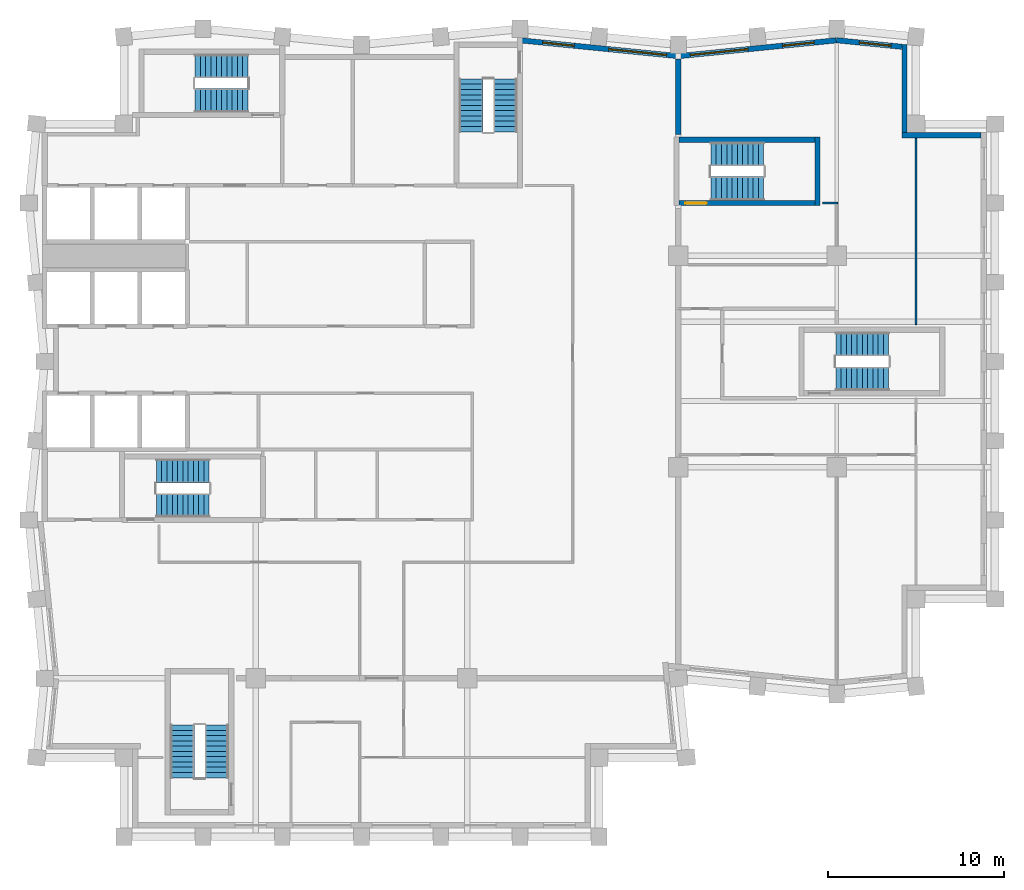
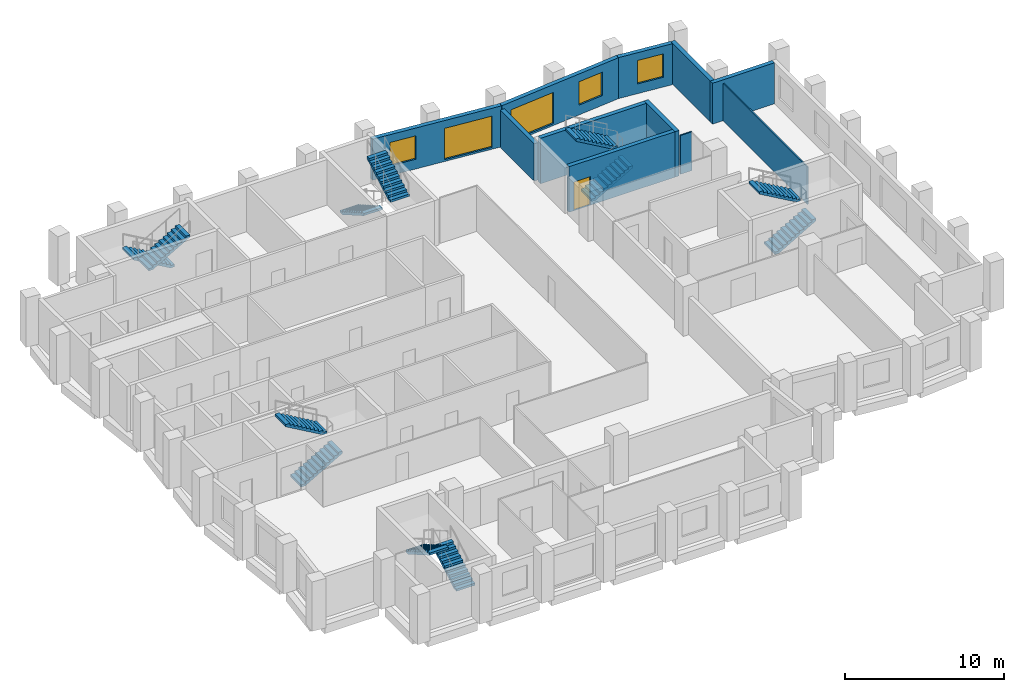
# One storey, part 6 of 7: 12 stair flights, 11 walls, 5 windows, 1 door, 6 openings, 6 elements without a shape of their own.
"""IFC4 building model written with IfcOpenShell, lengths in metres."""

from ifc_helpers import new_model, si_unit, direction, frame, frame_2d, origin, place, context, subcontext, project, spatial, polyline, rectangle, outline, extrude, material, layer, layer_set, type_object, element, fill, aggregate, save


model = new_model("IFC4")

# Units and contexts
model_context = context("Model", 3, precision=1e-05, world=origin(), true_north=direction((0.0, 1.0)))
body_context = subcontext(model_context, "Body", "Model", "MODEL_VIEW")
ifc_project = project(units=[si_unit("LENGTHUNIT", "METRE"), si_unit("AREAUNIT", "SQUARE_METRE"), si_unit("VOLUMEUNIT", "CUBIC_METRE"), si_unit("PLANEANGLEUNIT", "RADIAN"), si_unit("MASSUNIT", "GRAM", prefix="KILO")], contexts=[model_context])

# Site, building, storey
site_placement = place(None, origin())
site = spatial("IfcSite", under=ifc_project, at=site_placement, CompositionType="ELEMENT")
building_placement = place(site_placement, origin())
building = spatial("IfcBuilding", under=site, at=building_placement, Name="Brondeck Convention Tower", CompositionType="ELEMENT")
storey_placement = place(building_placement, frame((0.0, 0.0, 202.60009765625)))
storey = spatial("IfcBuildingStorey", under=building, at=storey_placement, Name="L49", CompositionType="ELEMENT", Elevation=202.60009765625)

# Walls
ifc_material_1 = material(Name="Concrete compartment wall C30/37", Category="concrete")
ifc_layer_1 = layer(ifc_material_1, 0.300048828125)
ifc_layer_set_1 = layer_set([ifc_layer_1], Name="Compartment wall 300")
wall_type_1 = type_object("IfcWallType", Name="Compartment wall 300", PredefinedType="PARTITIONING", material=ifc_layer_set_1)
wall_1_placement = place(storey_placement, frame((36.0, 57.89990234375, 0.0), z_axis=(0.0, 0.0, 1.0), x_axis=(0.0, 1.0, 0.0)))
element("IfcWall", 1, at=wall_1_placement, inside=storey, type_object=wall_type_1, Name="FLR-L49-W046", PredefinedType="PARTITIONING", context=body_context, shape_type="SweptSolid", body=[
    extrude(rectangle(XDim=4.2763671875, YDim=0.300048828125, at=frame_2d((2.13818359375, 0.0))), origin(), (0.0, 0.0, 1.0), 2.8798828125),
])
ifc_material_2 = material(Name="Precast concrete C50/60 bronze finish", Category="concrete")
ifc_layer_2 = layer(ifc_material_2, 0.070068359375, Name="Bronze precast facing")
ifc_material_3 = material(Name="Mineral wool")
ifc_layer_3 = layer(ifc_material_3, 0.159912109375, Name="Insulation")
ifc_material_4 = material(Name="Concrete C35/45", Category="concrete")
ifc_layer_4 = layer(ifc_material_4, 0.070068359375, Name="Backing")
ifc_layer_set_2 = layer_set([ifc_layer_2, ifc_layer_3, ifc_layer_4], Name="External infill wall, precast concrete C50/60 bronze facing")
wall_type_2 = type_object("IfcWallType", Name="External infill wall, precast concrete C50/60 bronze facing", PredefinedType="SOLIDWALL", material=ifc_layer_set_2)
wall_2_placement = place(storey_placement, frame((48.699951171875, 57.85009765625, 0.0), z_axis=(0.0, 0.0, 1.0), x_axis=(1.0, 0.0, 0.0)))
element("IfcWall", 2, at=wall_2_placement, inside=storey, type_object=wall_type_2, Name="ENV-EW-L49-P2-NC-NEA54-01", PredefinedType="SOLIDWALL", context=body_context, shape_type="SweptSolid", body=[
    extrude(rectangle(XDim=4.501953125, YDim=0.300048828125, at=frame_2d((2.2509765625, 0.0))), origin(), (0.0, 0.0, 1.0), 3.14990234375),
])
wall_3_placement = place(storey_placement, frame((48.85009765625, 62.99755859375, 0.0), z_axis=(0.0, 0.0, 1.0), x_axis=(0.0, -1.0, 0.0)))
element("IfcWall", 3, at=wall_3_placement, inside=storey, type_object=wall_type_2, Name="ENV-EW-L49-P2-NC-NEA54-02", PredefinedType="SOLIDWALL", context=body_context, shape_type="SweptSolid", body=[
    extrude(rectangle(XDim=4.99951171875, YDim=0.300048828125, at=frame_2d((2.499755859375, 0.0))), origin(), (0.0, 0.0, 1.0), 3.14990234375),
])

# Wall, opening, window
wall_4_placement = place(storey_placement, frame((44.985107421875, 63.248291015625, 0.0), z_axis=(0.0, 0.0, 1.0), x_axis=(0.995037837869, -0.099497242219, 0.0)))
wall_4 = element("IfcWall", 4, at=wall_4_placement, inside=storey, type_object=wall_type_2, Name="ENV-EW-L49-P2-A-N-10", PredefinedType="SOLIDWALL", context=body_context, shape_type="SweptSolid", body=[
    extrude(rectangle(XDim=3.732177734375, YDim=0.300048828125, at=frame_2d((1.8662109375, 0.0))), origin(), (0.0, 0.0, 1.0), 3.14990234375),
])
opening_1_placement = place(wall_4_placement, frame((1.311279296875, 0.0, 0.75)))
opening_1 = element("IfcOpeningElement", 5, at=opening_1_placement, cuts=wall_4, Name="Opening W10", PredefinedType="OPENING", context=body_context, shape_type="SweptSolid", body=[
    extrude(rectangle(XDim=1.800048828125, YDim=1.800048828125, at=frame_2d((0.89990234375, 0.89990234375))), frame((0.0, 0.159912109375, 0.0), z_axis=(0.0, -1.0, 0.0), x_axis=(1.0, 0.0, 0.0)), (0.0, 0.0, 1.0), 0.320068359375),
])
ifc_material_5 = material(Name="Bronze tinted double glazing", Category="glass")
window_type_1 = type_object("IfcWindowType", Name="Punched window, bronze tinted", PartitioningType="SINGLE_PANEL", PredefinedType="WINDOW", material=ifc_material_5)
window_1_placement = place(opening_1_placement, origin())
window_1 = element("IfcWindow", 6, at=window_1_placement, inside=storey, type_object=window_type_1, Name="ENV-WN-L49-P2-A-N-10", OverallHeight=1.800048828125, OverallWidth=1.800048828125, PartitioningType="SINGLE_PANEL", PredefinedType="WINDOW", context=body_context, shape_type="SweptSolid", body=[
    extrude(rectangle(XDim=1.800048828125, YDim=1.800048828125, at=frame_2d((0.89990234375, 0.89990234375))), frame((0.0, 0.030029296875, 0.0), z_axis=(0.0, -1.0, 0.0), x_axis=(1.0, 0.0, 0.0)), (0.0, 0.0, 1.0), 0.06005859375),
])
fill(opening_1, window_1)

# Wall, openings, windows
wall_5_placement = place(storey_placement, frame((35.985107421875, 62.34521484375, 0.0), z_axis=(0.0, 0.0, 1.0), x_axis=(0.995035316196, 0.099522457379, 0.0)))
wall_5 = element("IfcWall", 7, at=wall_5_placement, inside=storey, type_object=wall_type_2, Name="ENV-EW-L49-P2-A-N-09", PredefinedType="SOLIDWALL", context=body_context, shape_type="SweptSolid", body=[
    extrude(rectangle(XDim=9.030029296875, YDim=0.300048828125, at=frame_2d((4.51513671875, 0.0))), origin(), (0.0, 0.0, 1.0), 3.14990234375),
])
opening_2_placement = place(wall_5_placement, frame((0.691162109375, 0.0, 0.14990234375)))
opening_2 = element("IfcOpeningElement", 8, at=opening_2_placement, cuts=wall_5, Name="Opening W9", PredefinedType="OPENING", context=body_context, shape_type="SweptSolid", body=[
    extrude(rectangle(XDim=3.300048828125, YDim=2.39990234375, at=frame_2d((1.64990234375, 1.199951171875))), frame((0.0, 0.159912109375, 0.0), z_axis=(0.0, -1.0, 0.0), x_axis=(1.0, 0.0, 0.0)), (0.0, 0.0, 1.0), 0.320068359375),
])
opening_3_placement = place(wall_5_placement, frame((5.963623046875, 0.0, 0.75)))
opening_3 = element("IfcOpeningElement", 9, at=opening_3_placement, cuts=wall_5, Name="Opening W10", PredefinedType="OPENING", context=body_context, shape_type="SweptSolid", body=[
    extrude(rectangle(XDim=1.800048828125, YDim=1.800048828125, at=frame_2d((0.89990234375, 0.89990234375))), frame((0.0, 0.159912109375, 0.0), z_axis=(0.0, -1.0, 0.0), x_axis=(1.0, 0.0, 0.0)), (0.0, 0.0, 1.0), 0.320068359375),
])
window_type_2 = type_object("IfcWindowType", Name="Glazed flute window, bronze tinted", PartitioningType="SINGLE_PANEL", PredefinedType="WINDOW", material=ifc_material_5)
window_2_placement = place(opening_2_placement, origin())
window_2 = element("IfcWindow", 10, at=window_2_placement, inside=storey, type_object=window_type_2, Name="ENV-WN-L49-P2-A-N-08", OverallHeight=2.39990234375, OverallWidth=3.300048828125, PartitioningType="SINGLE_PANEL", PredefinedType="WINDOW", context=body_context, shape_type="SweptSolid", body=[
    extrude(rectangle(XDim=3.300048828125, YDim=2.39990234375, at=frame_2d((1.64990234375, 1.199951171875))), frame((0.0, 0.030029296875, 0.0), z_axis=(0.0, -1.0, 0.0), x_axis=(1.0, 0.0, 0.0)), (0.0, 0.0, 1.0), 0.06005859375),
])
fill(opening_2, window_2)
window_3_placement = place(opening_3_placement, origin())
window_3 = element("IfcWindow", 11, at=window_3_placement, inside=storey, type_object=window_type_1, Name="ENV-WN-L49-P2-A-N-09", OverallHeight=1.800048828125, OverallWidth=1.800048828125, PartitioningType="SINGLE_PANEL", PredefinedType="WINDOW", context=body_context, shape_type="SweptSolid", body=[
    extrude(rectangle(XDim=1.800048828125, YDim=1.800048828125, at=frame_2d((0.89990234375, 0.89990234375))), frame((0.0, 0.030029296875, 0.0), z_axis=(0.0, -1.0, 0.0), x_axis=(1.0, 0.0, 0.0)), (0.0, 0.0, 1.0), 0.06005859375),
])
fill(opening_3, window_3)

wall_6_placement = place(storey_placement, frame((27.084716796875, 63.23828125, 0.0), z_axis=(0.0, 0.0, 1.0), x_axis=(0.995035836657, -0.099517253618, 0.0)))
wall_6 = element("IfcWall", 12, at=wall_6_placement, inside=storey, type_object=wall_type_2, Name="ENV-EW-L49-P2-A-N-07", PredefinedType="SOLIDWALL", context=body_context, shape_type="SweptSolid", body=[
    extrude(rectangle(XDim=8.929931640625, YDim=0.300048828125, at=frame_2d((4.46484375, 0.0))), origin(), (0.0, 0.0, 1.0), 3.14990234375),
])
opening_4_placement = place(wall_6_placement, frame((1.211181640625, 0.0, 0.75)))
opening_4 = element("IfcOpeningElement", 13, at=opening_4_placement, cuts=wall_6, Name="Opening W10", PredefinedType="OPENING", context=body_context, shape_type="SweptSolid", body=[
    extrude(rectangle(XDim=1.800048828125, YDim=1.800048828125, at=frame_2d((0.89990234375, 0.89990234375))), frame((0.0, 0.159912109375, 0.0), z_axis=(0.0, -1.0, 0.0), x_axis=(1.0, 0.0, 0.0)), (0.0, 0.0, 1.0), 0.320068359375),
])
opening_5_placement = place(wall_6_placement, frame((4.983642578125, 0.0, 0.14990234375)))
opening_5 = element("IfcOpeningElement", 14, at=opening_5_placement, cuts=wall_6, Name="Opening W9", PredefinedType="OPENING", context=body_context, shape_type="SweptSolid", body=[
    extrude(rectangle(XDim=3.300048828125, YDim=2.39990234375, at=frame_2d((1.64990234375, 1.199951171875))), frame((0.0, 0.159912109375, 0.0), z_axis=(0.0, -1.0, 0.0), x_axis=(1.0, 0.0, 0.0)), (0.0, 0.0, 1.0), 0.320068359375),
])
window_4_placement = place(opening_5_placement, origin())
window_4 = element("IfcWindow", 15, at=window_4_placement, inside=storey, type_object=window_type_2, Name="ENV-WN-L49-P2-A-N-07", OverallHeight=2.39990234375, OverallWidth=3.300048828125, PartitioningType="SINGLE_PANEL", PredefinedType="WINDOW", context=body_context, shape_type="SweptSolid", body=[
    extrude(rectangle(XDim=3.300048828125, YDim=2.39990234375, at=frame_2d((1.64990234375, 1.199951171875))), frame((0.0, 0.030029296875, 0.0), z_axis=(0.0, -1.0, 0.0), x_axis=(1.0, 0.0, 0.0)), (0.0, 0.0, 1.0), 0.06005859375),
])
fill(opening_5, window_4)
window_5_placement = place(opening_4_placement, origin())
window_5 = element("IfcWindow", 16, at=window_5_placement, inside=storey, type_object=window_type_1, Name="ENV-WN-L49-P2-A-N-06", OverallHeight=1.800048828125, OverallWidth=1.800048828125, PartitioningType="SINGLE_PANEL", PredefinedType="WINDOW", context=body_context, shape_type="SweptSolid", body=[
    extrude(rectangle(XDim=1.800048828125, YDim=1.800048828125, at=frame_2d((0.89990234375, 0.89990234375))), frame((0.0, 0.030029296875, 0.0), z_axis=(0.0, -1.0, 0.0), x_axis=(1.0, 0.0, 0.0)), (0.0, 0.0, 1.0), 0.06005859375),
])
fill(opening_4, window_5)

# Walls
ifc_material_6 = material(Name="Gypsum board partition on steel studs", Category="steel")
ifc_layer_5 = layer(ifc_material_6, 0.10009765625)
ifc_layer_set_3 = layer_set([ifc_layer_5], Name="Room partition 100")
wall_type_3 = type_object("IfcWallType", Name="Room partition 100", PredefinedType="PARTITIONING", material=ifc_layer_set_3)
wall_7_placement = place(storey_placement, frame((49.5, 47.10009765625, 0.0), z_axis=(0.0, 0.0, 1.0), x_axis=(0.0, 1.0, 0.0)))
element("IfcWall", 17, at=wall_7_placement, inside=storey, type_object=wall_type_3, Name="FLR-L49-W034", PredefinedType="PARTITIONING", context=body_context, shape_type="SweptSolid", body=[
    extrude(rectangle(XDim=10.579833984375, YDim=0.10009765625, at=frame_2d((5.2900390625, 0.0))), origin(), (0.0, 0.0, 1.0), 2.8798828125),
])
wall_8_placement = place(storey_placement, frame((44.199951171875, 54.0, 0.0), z_axis=(0.0, 0.0, 1.0), x_axis=(1.0, 0.0, 0.0)))
element("IfcWall", 18, at=wall_8_placement, inside=storey, type_object=wall_type_3, Name="FLR-L49-W043", PredefinedType="PARTITIONING", context=body_context, shape_type="SweptSolid", body=[
    extrude(rectangle(XDim=0.85009765625, YDim=0.10009765625, at=frame_2d((0.425048828125, 0.0))), origin(), (0.0, 0.0, 1.0), 2.97998046875),
])

# Wall, opening, door
ifc_material_7 = material(Name="Concrete C50/60", Category="concrete")
ifc_layer_6 = layer(ifc_material_7, 0.300048828125)
ifc_layer_set_4 = layer_set([ifc_layer_6], Name="Stair enclosure wall 300 Concrete C50/60")
wall_type_4 = type_object("IfcWallType", Name="Stair enclosure wall 300 Concrete C50/60", PredefinedType="SHEAR", material=ifc_layer_set_4)
wall_9_placement = place(storey_placement, frame((36.050048828125, 54.0, 0.0), z_axis=(0.0, 0.0, 1.0), x_axis=(1.0, 0.0, 0.0)))
wall_9 = element("IfcWall", 19, at=wall_9_placement, inside=storey, type_object=wall_type_4, Name="L49 core wall", PredefinedType="SHEAR", context=body_context, shape_type="SweptSolid", body=[
    extrude(rectangle(XDim=7.699951171875, YDim=0.300048828125, at=frame_2d((3.85009765625, 0.0))), origin(), (0.0, 0.0, 1.0), 3.5),
])
opening_6_placement = place(wall_9_placement, frame((0.35009765625, 0.0, 0.0)))
opening_6 = element("IfcOpeningElement", 20, at=opening_6_placement, cuts=wall_9, Name="Opening C28-16", PredefinedType="OPENING", context=body_context, shape_type="SweptSolid", body=[
    extrude(rectangle(XDim=1.199951171875, YDim=2.199951171875, at=frame_2d((0.60009765625, 1.10009765625))), frame((0.0, 0.159912109375, 0.0), z_axis=(0.0, -1.0, 0.0), x_axis=(1.0, 0.0, 0.0)), (0.0, 0.0, 1.0), 0.320068359375),
])
ifc_material_8 = material(Name="Steel fire door", Category="steel")
door_type = type_object("IfcDoorType", Name="Stair door 1200x2200 EI 90", OperationType="NOTDEFINED", PredefinedType="DOOR", material=ifc_material_8)
door_placement = place(opening_6_placement, origin())
door = element("IfcDoor", 21, at=door_placement, inside=storey, type_object=door_type, Name="L49 Stair door ST-AE", OperationType="SINGLE_SWING_LEFT", OverallHeight=2.199951171875, OverallWidth=1.199951171875, PredefinedType="DOOR", context=body_context, shape_type="SweptSolid", body=[
    extrude(rectangle(XDim=1.199951171875, YDim=2.199951171875, at=frame_2d((0.60009765625, 1.10009765625))), frame((0.0, 0.02490234375, 0.0), z_axis=(0.0, -1.0, 0.0), x_axis=(1.0, 0.0, 0.0)), (0.0, 0.0, 1.0), 0.050048828125),
])
fill(opening_6, door)

# Walls
wall_10_placement = place(storey_placement, frame((36.050048828125, 57.60009765625, 0.0), z_axis=(0.0, 0.0, 1.0), x_axis=(1.0, 0.0, 0.0)))
element("IfcWall", 22, at=wall_10_placement, inside=storey, type_object=wall_type_4, Name="L49 core wall", PredefinedType="SHEAR", context=body_context, shape_type="SweptSolid", body=[
    extrude(rectangle(XDim=7.699951171875, YDim=0.300048828125, at=frame_2d((3.85009765625, 0.0))), origin(), (0.0, 0.0, 1.0), 3.5),
])
wall_11_placement = place(storey_placement, frame((43.89990234375, 53.85009765625, 0.0), z_axis=(0.0, 0.0, 1.0), x_axis=(0.0, 1.0, 0.0)))
element("IfcWall", 23, at=wall_11_placement, inside=storey, type_object=wall_type_4, Name="L49 core wall", PredefinedType="SHEAR", context=body_context, shape_type="SweptSolid", body=[
    extrude(rectangle(XDim=3.89990234375, YDim=0.300048828125, at=frame_2d((1.949951171875, 0.0))), origin(), (0.0, 0.0, 1.0), 3.5),
])

# Stair, stair flights
ifc_material_9 = material(Name="Precast concrete C50/60", Category="concrete")
stair_type = type_object("IfcStairType", Name="Core stair 22 risers 172.73 mm riser 300 mm going 1350 wide", PredefinedType="HALF_TURN_STAIR", material=ifc_material_9)
stair_1_placement = place(storey_placement, origin())
stair_1 = element("IfcStair", 24, at=stair_1_placement, inside=storey, type_object=stair_type, Name="ST-1 L49 stair", PredefinedType="HALF_TURN_STAIR")
stair_flight_type = type_object("IfcStairFlightType", Name="Core stair flight 22 risers 172.73 mm riser 300 mm going 1350 wide", PredefinedType="STRAIGHT", material=ifc_material_9)
stair_flight_1_placement = place(storey_placement, frame((6.35009765625, 36.824951171875, 0.0), z_axis=(0.0, 0.0, 1.0), x_axis=(1.0, 0.0, 0.0)))
stair_flight_1 = element("IfcStairFlight", 25, at=stair_flight_1_placement, type_object=stair_flight_type, Name="ST-1 flight 1", NumberOfRisers=11, NumberOfTreads=10, PredefinedType="STRAIGHT", RiserHeight=0.172727273, TreadLength=0.3, context=body_context, shape_type="SweptSolid", body=[
    extrude(outline(polyline([(0.0, 0.0), (0.0, 0.172607421875), (0.300048828125, 0.172607421875), (0.300048828125, 0.345458984375), (0.60009765625, 0.345458984375), (0.60009765625, 0.51806640625), (0.89990234375, 0.51806640625), (0.89990234375, 0.69091796875), (1.199951171875, 0.69091796875), (1.199951171875, 0.863525390625), (1.5, 0.863525390625), (1.5, 1.036376953125), (1.800048828125, 1.036376953125), (1.800048828125, 1.208984375), (2.10009765625, 1.208984375), (2.10009765625, 1.3818359375), (2.39990234375, 1.3818359375), (2.39990234375, 1.554443359375), (2.699951171875, 1.554443359375), (2.699951171875, 1.727294921875), (3.0, 1.727294921875), (3.0, 1.89990234375), (3.0, 1.55419921875), (0.300537109375, 0.0), (0.0, 0.0)])), frame((0.0, 0.675048828125, 0.0), z_axis=(0.0, -1.0, 0.0), x_axis=(1.0, 0.0, 0.0)), (0.0, 0.0, 1.0), 1.35009765625),
])
stair_flight_2_placement = place(storey_placement, frame((9.35009765625, 38.77490234375, 1.89990234375), z_axis=(0.0, 0.0, 1.0), x_axis=(-1.0, 0.0, 0.0)))
stair_flight_2 = element("IfcStairFlight", 26, at=stair_flight_2_placement, type_object=stair_flight_type, Name="ST-1 flight 2", NumberOfRisers=11, NumberOfTreads=10, PredefinedType="STRAIGHT", RiserHeight=0.172727273, TreadLength=0.3, context=body_context, shape_type="SweptSolid", body=[
    extrude(outline(polyline([(0.0, 0.0), (0.0, 0.172607421875), (0.300048828125, 0.172607421875), (0.300048828125, 0.345458984375), (0.60009765625, 0.345458984375), (0.60009765625, 0.51806640625), (0.89990234375, 0.51806640625), (0.89990234375, 0.69091796875), (1.199951171875, 0.69091796875), (1.199951171875, 0.863525390625), (1.5, 0.863525390625), (1.5, 1.036376953125), (1.800048828125, 1.036376953125), (1.800048828125, 1.208984375), (2.10009765625, 1.208984375), (2.10009765625, 1.3818359375), (2.39990234375, 1.3818359375), (2.39990234375, 1.554443359375), (2.699951171875, 1.554443359375), (2.699951171875, 1.727294921875), (3.0, 1.727294921875), (3.0, 1.89990234375), (3.0, 1.55419921875), (0.300537109375, 0.0), (0.0, 0.0)])), frame((0.0, 0.675048828125, 0.0), z_axis=(0.0, -1.0, 0.0), x_axis=(1.0, 0.0, 0.0)), (0.0, 0.0, 1.0), 1.35009765625),
])
aggregate(stair_1, [stair_flight_1, stair_flight_2])

stair_2_placement = place(storey_placement, origin())
stair_2 = element("IfcStair", 27, at=stair_2_placement, inside=storey, type_object=stair_type, Name="ST-2 L49 stair", PredefinedType="HALF_TURN_STAIR")
stair_flight_3_placement = place(storey_placement, frame((24.22509765625, 61.050048828125, 0.0), z_axis=(0.0, 0.0, 1.0), x_axis=(0.0, -1.0, 0.0)))
stair_flight_3 = element("IfcStairFlight", 28, at=stair_flight_3_placement, type_object=stair_flight_type, Name="ST-2 flight 1", NumberOfRisers=11, NumberOfTreads=10, PredefinedType="STRAIGHT", RiserHeight=0.172727273, TreadLength=0.3, context=body_context, shape_type="SweptSolid", body=[
    extrude(outline(polyline([(0.0, 0.0), (0.0, 0.172607421875), (0.300048828125, 0.172607421875), (0.300048828125, 0.345458984375), (0.60009765625, 0.345458984375), (0.60009765625, 0.51806640625), (0.89990234375, 0.51806640625), (0.89990234375, 0.69091796875), (1.199951171875, 0.69091796875), (1.199951171875, 0.863525390625), (1.5, 0.863525390625), (1.5, 1.036376953125), (1.800048828125, 1.036376953125), (1.800048828125, 1.208984375), (2.10009765625, 1.208984375), (2.10009765625, 1.3818359375), (2.39990234375, 1.3818359375), (2.39990234375, 1.554443359375), (2.699951171875, 1.554443359375), (2.699951171875, 1.727294921875), (3.0, 1.727294921875), (3.0, 1.89990234375), (3.0, 1.55419921875), (0.300537109375, 0.0), (0.0, 0.0)])), frame((0.0, 0.675048828125, 0.0), z_axis=(0.0, -1.0, 0.0), x_axis=(1.0, 0.0, 0.0)), (0.0, 0.0, 1.0), 1.35009765625),
])
stair_flight_4_placement = place(storey_placement, frame((26.175048828125, 58.050048828125, 1.89990234375), z_axis=(0.0, 0.0, 1.0), x_axis=(0.0, 1.0, 0.0)))
stair_flight_4 = element("IfcStairFlight", 29, at=stair_flight_4_placement, type_object=stair_flight_type, Name="ST-2 flight 2", NumberOfRisers=11, NumberOfTreads=10, PredefinedType="STRAIGHT", RiserHeight=0.172727273, TreadLength=0.3, context=body_context, shape_type="SweptSolid", body=[
    extrude(outline(polyline([(0.0, 0.0), (0.0, 0.172607421875), (0.300048828125, 0.172607421875), (0.300048828125, 0.345458984375), (0.60009765625, 0.345458984375), (0.60009765625, 0.51806640625), (0.89990234375, 0.51806640625), (0.89990234375, 0.69091796875), (1.199951171875, 0.69091796875), (1.199951171875, 0.863525390625), (1.5, 0.863525390625), (1.5, 1.036376953125), (1.800048828125, 1.036376953125), (1.800048828125, 1.208984375), (2.10009765625, 1.208984375), (2.10009765625, 1.3818359375), (2.39990234375, 1.3818359375), (2.39990234375, 1.554443359375), (2.699951171875, 1.554443359375), (2.699951171875, 1.727294921875), (3.0, 1.727294921875), (3.0, 1.89990234375), (3.0, 1.55419921875), (0.300537109375, 0.0), (0.0, 0.0)])), frame((0.0, 0.675048828125, 0.0), z_axis=(0.0, -1.0, 0.0), x_axis=(1.0, 0.0, 0.0)), (0.0, 0.0, 1.0), 1.35009765625),
])
aggregate(stair_2, [stair_flight_3, stair_flight_4])

stair_3_placement = place(storey_placement, origin())
stair_3 = element("IfcStair", 30, at=stair_3_placement, inside=storey, type_object=stair_type, Name="ST-3 L49 stair", PredefinedType="HALF_TURN_STAIR")
stair_flight_5_placement = place(storey_placement, frame((11.550048828125, 61.77490234375, 0.0), z_axis=(0.0, 0.0, 1.0), x_axis=(-1.0, 0.0, 0.0)))
stair_flight_5 = element("IfcStairFlight", 31, at=stair_flight_5_placement, type_object=stair_flight_type, Name="ST-3 flight 1", NumberOfRisers=11, NumberOfTreads=10, PredefinedType="STRAIGHT", RiserHeight=0.172727273, TreadLength=0.3, context=body_context, shape_type="SweptSolid", body=[
    extrude(outline(polyline([(0.0, 0.0), (0.0, 0.172607421875), (0.300048828125, 0.172607421875), (0.300048828125, 0.345458984375), (0.60009765625, 0.345458984375), (0.60009765625, 0.51806640625), (0.89990234375, 0.51806640625), (0.89990234375, 0.69091796875), (1.199951171875, 0.69091796875), (1.199951171875, 0.863525390625), (1.5, 0.863525390625), (1.5, 1.036376953125), (1.800048828125, 1.036376953125), (1.800048828125, 1.208984375), (2.10009765625, 1.208984375), (2.10009765625, 1.3818359375), (2.39990234375, 1.3818359375), (2.39990234375, 1.554443359375), (2.699951171875, 1.554443359375), (2.699951171875, 1.727294921875), (3.0, 1.727294921875), (3.0, 1.89990234375), (3.0, 1.55419921875), (0.300537109375, 0.0), (0.0, 0.0)])), frame((0.0, 0.675048828125, 0.0), z_axis=(0.0, -1.0, 0.0), x_axis=(1.0, 0.0, 0.0)), (0.0, 0.0, 1.0), 1.35009765625),
])
stair_flight_6_placement = place(storey_placement, frame((8.550048828125, 59.824951171875, 1.89990234375), z_axis=(0.0, 0.0, 1.0), x_axis=(1.0, 0.0, 0.0)))
stair_flight_6 = element("IfcStairFlight", 32, at=stair_flight_6_placement, type_object=stair_flight_type, Name="ST-3 flight 2", NumberOfRisers=11, NumberOfTreads=10, PredefinedType="STRAIGHT", RiserHeight=0.172727273, TreadLength=0.3, context=body_context, shape_type="SweptSolid", body=[
    extrude(outline(polyline([(0.0, 0.0), (0.0, 0.172607421875), (0.300048828125, 0.172607421875), (0.300048828125, 0.345458984375), (0.60009765625, 0.345458984375), (0.60009765625, 0.51806640625), (0.89990234375, 0.51806640625), (0.89990234375, 0.69091796875), (1.199951171875, 0.69091796875), (1.199951171875, 0.863525390625), (1.5, 0.863525390625), (1.5, 1.036376953125), (1.800048828125, 1.036376953125), (1.800048828125, 1.208984375), (2.10009765625, 1.208984375), (2.10009765625, 1.3818359375), (2.39990234375, 1.3818359375), (2.39990234375, 1.554443359375), (2.699951171875, 1.554443359375), (2.699951171875, 1.727294921875), (3.0, 1.727294921875), (3.0, 1.89990234375), (3.0, 1.55419921875), (0.300537109375, 0.0), (0.0, 0.0)])), frame((0.0, 0.675048828125, 0.0), z_axis=(0.0, -1.0, 0.0), x_axis=(1.0, 0.0, 0.0)), (0.0, 0.0, 1.0), 1.35009765625),
])
aggregate(stair_3, [stair_flight_5, stair_flight_6])

stair_4_placement = place(storey_placement, origin())
stair_4 = element("IfcStair", 33, at=stair_4_placement, inside=storey, type_object=stair_type, Name="ST-AE L49 stair", PredefinedType="HALF_TURN_STAIR")
stair_flight_7_placement = place(storey_placement, frame((37.85009765625, 54.824951171875, 0.0), z_axis=(0.0, 0.0, 1.0), x_axis=(1.0, 0.0, 0.0)))
stair_flight_7 = element("IfcStairFlight", 34, at=stair_flight_7_placement, type_object=stair_flight_type, Name="ST-AE flight 1", NumberOfRisers=11, NumberOfTreads=10, PredefinedType="STRAIGHT", RiserHeight=0.172727273, TreadLength=0.3, context=body_context, shape_type="SweptSolid", body=[
    extrude(outline(polyline([(0.0, 0.0), (0.0, 0.172607421875), (0.300048828125, 0.172607421875), (0.300048828125, 0.345458984375), (0.60009765625, 0.345458984375), (0.60009765625, 0.51806640625), (0.89990234375, 0.51806640625), (0.89990234375, 0.69091796875), (1.199951171875, 0.69091796875), (1.199951171875, 0.863525390625), (1.5, 0.863525390625), (1.5, 1.036376953125), (1.800048828125, 1.036376953125), (1.800048828125, 1.208984375), (2.10009765625, 1.208984375), (2.10009765625, 1.3818359375), (2.39990234375, 1.3818359375), (2.39990234375, 1.554443359375), (2.699951171875, 1.554443359375), (2.699951171875, 1.727294921875), (3.0, 1.727294921875), (3.0, 1.89990234375), (3.0, 1.55419921875), (0.300537109375, 0.0), (0.0, 0.0)])), frame((0.0, 0.675048828125, 0.0), z_axis=(0.0, -1.0, 0.0), x_axis=(1.0, 0.0, 0.0)), (0.0, 0.0, 1.0), 1.35009765625),
])
stair_flight_8_placement = place(storey_placement, frame((40.85009765625, 56.77490234375, 1.89990234375), z_axis=(0.0, 0.0, 1.0), x_axis=(-1.0, 0.0, 0.0)))
stair_flight_8 = element("IfcStairFlight", 35, at=stair_flight_8_placement, type_object=stair_flight_type, Name="ST-AE flight 2", NumberOfRisers=11, NumberOfTreads=10, PredefinedType="STRAIGHT", RiserHeight=0.172727273, TreadLength=0.3, context=body_context, shape_type="SweptSolid", body=[
    extrude(outline(polyline([(0.0, 0.0), (0.0, 0.172607421875), (0.300048828125, 0.172607421875), (0.300048828125, 0.345458984375), (0.60009765625, 0.345458984375), (0.60009765625, 0.51806640625), (0.89990234375, 0.51806640625), (0.89990234375, 0.69091796875), (1.199951171875, 0.69091796875), (1.199951171875, 0.863525390625), (1.5, 0.863525390625), (1.5, 1.036376953125), (1.800048828125, 1.036376953125), (1.800048828125, 1.208984375), (2.10009765625, 1.208984375), (2.10009765625, 1.3818359375), (2.39990234375, 1.3818359375), (2.39990234375, 1.554443359375), (2.699951171875, 1.554443359375), (2.699951171875, 1.727294921875), (3.0, 1.727294921875), (3.0, 1.89990234375), (3.0, 1.55419921875), (0.300537109375, 0.0), (0.0, 0.0)])), frame((0.0, 0.675048828125, 0.0), z_axis=(0.0, -1.0, 0.0), x_axis=(1.0, 0.0, 0.0)), (0.0, 0.0, 1.0), 1.35009765625),
])
aggregate(stair_4, [stair_flight_7, stair_flight_8])

stair_5_placement = place(storey_placement, origin())
stair_5 = element("IfcStair", 36, at=stair_5_placement, inside=storey, type_object=stair_type, Name="ST-BE L49 stair", PredefinedType="HALF_TURN_STAIR")
stair_flight_9_placement = place(storey_placement, frame((9.77490234375, 21.35009765625, 0.0), z_axis=(0.0, 0.0, 1.0), x_axis=(0.0, 1.0, 0.0)))
stair_flight_9 = element("IfcStairFlight", 37, at=stair_flight_9_placement, type_object=stair_flight_type, Name="ST-BE flight 1", NumberOfRisers=11, NumberOfTreads=10, PredefinedType="STRAIGHT", RiserHeight=0.172727273, TreadLength=0.3, context=body_context, shape_type="SweptSolid", body=[
    extrude(outline(polyline([(0.0, 0.0), (0.0, 0.172607421875), (0.300048828125, 0.172607421875), (0.300048828125, 0.345458984375), (0.60009765625, 0.345458984375), (0.60009765625, 0.51806640625), (0.89990234375, 0.51806640625), (0.89990234375, 0.69091796875), (1.199951171875, 0.69091796875), (1.199951171875, 0.863525390625), (1.5, 0.863525390625), (1.5, 1.036376953125), (1.800048828125, 1.036376953125), (1.800048828125, 1.208984375), (2.10009765625, 1.208984375), (2.10009765625, 1.3818359375), (2.39990234375, 1.3818359375), (2.39990234375, 1.554443359375), (2.699951171875, 1.554443359375), (2.699951171875, 1.727294921875), (3.0, 1.727294921875), (3.0, 1.89990234375), (3.0, 1.55419921875), (0.300537109375, 0.0), (0.0, 0.0)])), frame((0.0, 0.675048828125, 0.0), z_axis=(0.0, -1.0, 0.0), x_axis=(1.0, 0.0, 0.0)), (0.0, 0.0, 1.0), 1.35009765625),
])
stair_flight_10_placement = place(storey_placement, frame((7.824951171875, 24.35009765625, 1.89990234375), z_axis=(0.0, 0.0, 1.0), x_axis=(0.0, -1.0, 0.0)))
stair_flight_10 = element("IfcStairFlight", 38, at=stair_flight_10_placement, type_object=stair_flight_type, Name="ST-BE flight 2", NumberOfRisers=11, NumberOfTreads=10, PredefinedType="STRAIGHT", RiserHeight=0.172727273, TreadLength=0.3, context=body_context, shape_type="SweptSolid", body=[
    extrude(outline(polyline([(0.0, 0.0), (0.0, 0.172607421875), (0.300048828125, 0.172607421875), (0.300048828125, 0.345458984375), (0.60009765625, 0.345458984375), (0.60009765625, 0.51806640625), (0.89990234375, 0.51806640625), (0.89990234375, 0.69091796875), (1.199951171875, 0.69091796875), (1.199951171875, 0.863525390625), (1.5, 0.863525390625), (1.5, 1.036376953125), (1.800048828125, 1.036376953125), (1.800048828125, 1.208984375), (2.10009765625, 1.208984375), (2.10009765625, 1.3818359375), (2.39990234375, 1.3818359375), (2.39990234375, 1.554443359375), (2.699951171875, 1.554443359375), (2.699951171875, 1.727294921875), (3.0, 1.727294921875), (3.0, 1.89990234375), (3.0, 1.55419921875), (0.300537109375, 0.0), (0.0, 0.0)])), frame((0.0, 0.675048828125, 0.0), z_axis=(0.0, -1.0, 0.0), x_axis=(1.0, 0.0, 0.0)), (0.0, 0.0, 1.0), 1.35009765625),
])
aggregate(stair_5, [stair_flight_9, stair_flight_10])

stair_6_placement = place(storey_placement, origin())
stair_6 = element("IfcStair", 39, at=stair_6_placement, inside=storey, type_object=stair_type, Name="ST-AF L49 stair", PredefinedType="HALF_TURN_STAIR")
stair_flight_11_placement = place(storey_placement, frame((44.949951171875, 44.02490234375, 0.0), z_axis=(0.0, 0.0, 1.0), x_axis=(1.0, 0.0, 0.0)))
stair_flight_11 = element("IfcStairFlight", 40, at=stair_flight_11_placement, type_object=stair_flight_type, Name="ST-AF flight 1", NumberOfRisers=11, NumberOfTreads=10, PredefinedType="STRAIGHT", RiserHeight=0.172727273, TreadLength=0.3, context=body_context, shape_type="SweptSolid", body=[
    extrude(outline(polyline([(0.0, 0.0), (0.0, 0.172607421875), (0.300048828125, 0.172607421875), (0.300048828125, 0.345458984375), (0.60009765625, 0.345458984375), (0.60009765625, 0.51806640625), (0.89990234375, 0.51806640625), (0.89990234375, 0.69091796875), (1.199951171875, 0.69091796875), (1.199951171875, 0.863525390625), (1.5, 0.863525390625), (1.5, 1.036376953125), (1.800048828125, 1.036376953125), (1.800048828125, 1.208984375), (2.10009765625, 1.208984375), (2.10009765625, 1.3818359375), (2.39990234375, 1.3818359375), (2.39990234375, 1.554443359375), (2.699951171875, 1.554443359375), (2.699951171875, 1.727294921875), (3.0, 1.727294921875), (3.0, 1.89990234375), (3.0, 1.55419921875), (0.300537109375, 0.0), (0.0, 0.0)])), frame((0.0, 0.675048828125, 0.0), z_axis=(0.0, -1.0, 0.0), x_axis=(1.0, 0.0, 0.0)), (0.0, 0.0, 1.0), 1.35009765625),
])
stair_flight_12_placement = place(storey_placement, frame((47.949951171875, 45.97509765625, 1.89990234375), z_axis=(0.0, 0.0, 1.0), x_axis=(-1.0, 0.0, 0.0)))
stair_flight_12 = element("IfcStairFlight", 41, at=stair_flight_12_placement, type_object=stair_flight_type, Name="ST-AF flight 2", NumberOfRisers=11, NumberOfTreads=10, PredefinedType="STRAIGHT", RiserHeight=0.172727273, TreadLength=0.3, context=body_context, shape_type="SweptSolid", body=[
    extrude(outline(polyline([(0.0, 0.0), (0.0, 0.172607421875), (0.300048828125, 0.172607421875), (0.300048828125, 0.345458984375), (0.60009765625, 0.345458984375), (0.60009765625, 0.51806640625), (0.89990234375, 0.51806640625), (0.89990234375, 0.69091796875), (1.199951171875, 0.69091796875), (1.199951171875, 0.863525390625), (1.5, 0.863525390625), (1.5, 1.036376953125), (1.800048828125, 1.036376953125), (1.800048828125, 1.208984375), (2.10009765625, 1.208984375), (2.10009765625, 1.3818359375), (2.39990234375, 1.3818359375), (2.39990234375, 1.554443359375), (2.699951171875, 1.554443359375), (2.699951171875, 1.727294921875), (3.0, 1.727294921875), (3.0, 1.89990234375), (3.0, 1.55419921875), (0.300537109375, 0.0), (0.0, 0.0)])), frame((0.0, 0.675048828125, 0.0), z_axis=(0.0, -1.0, 0.0), x_axis=(1.0, 0.0, 0.0)), (0.0, 0.0, 1.0), 1.35009765625),
])
aggregate(stair_6, [stair_flight_11, stair_flight_12])

save(model, "model.ifc")
